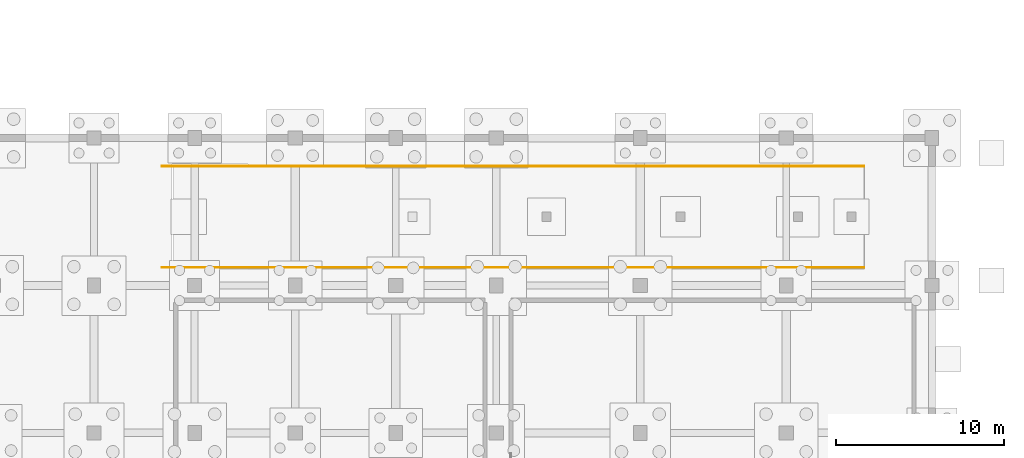
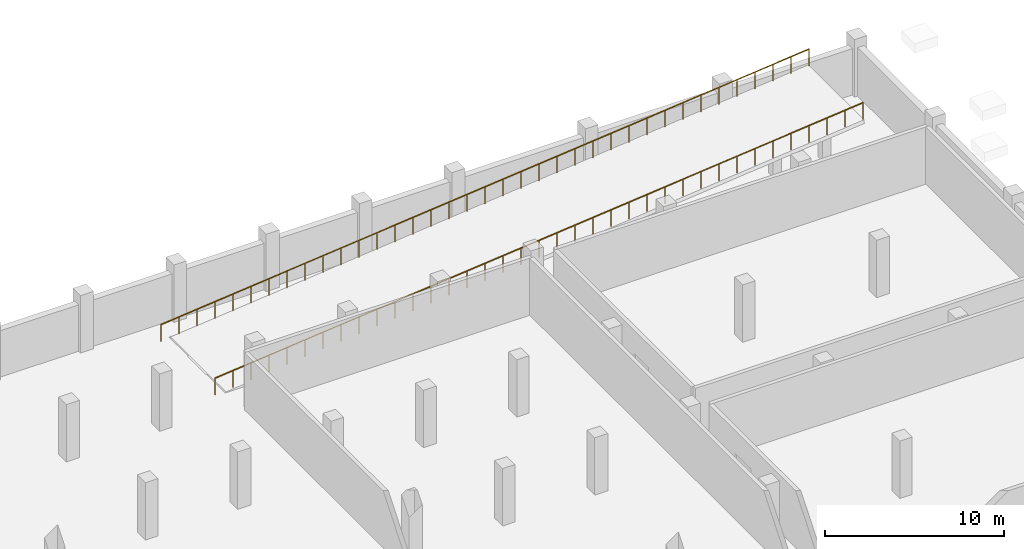
# One storey, part 27 of 28: 2 railings.
"""IFC4 building model written with IfcOpenShell, lengths in metres."""

import ifcopenshell
import ifcopenshell.guid

model = None  # the IFC model being written
_history = None  # IfcOwnerHistory: only IFC2X3 demands one
_inside = {}  # id of a spatial element -> (the spatial element, [elements in it])
_under = {}  # id of a project, library or spatial element -> (it, [spatial elements below it])
_declared = {}  # id of a project -> (the project, [libraries it declares])
_typed = {}  # id of a type object -> (the type object, [elements of that type])
_made_of = {}  # id of a material, layer set ... -> (it, [elements and type objects made of it])


def new_model(schema):
    """Start an empty IFC model of exactly this schema.

    Asked for "IFC4X3", IfcOpenShell would pick the latest addendum, in which some entities
    have other attributes; the version numbers below select the first issue.
    IFC2X3 requires an IfcOwnerHistory on every rooted entity: one is made here for all.
    """
    global model, _history
    if schema == "IFC4X3":
        model = ifcopenshell.file(schema_version=(4, 3, 0, 0))
    else:
        model = ifcopenshell.file(schema=schema)
    _inside.clear()
    _under.clear()
    _declared.clear()
    _typed.clear()
    _made_of.clear()
    _history = None
    if model.schema == "IFC2X3":
        org = make("IfcOrganization", Name="unknown")
        user = make(
            "IfcPersonAndOrganization",
            ThePerson=make("IfcPerson", FamilyName="unknown"),
            TheOrganization=org,
        )
        app = make(
            "IfcApplication",
            ApplicationDeveloper=org,
            Version="unknown",
            ApplicationFullName="unknown",
            ApplicationIdentifier="unknown",
        )
        _history = make(
            "IfcOwnerHistory",
            OwningUser=user,
            OwningApplication=app,
            ChangeAction="ADDED",
            CreationDate=0,
        )
    return model


def make(cls, **values):
    """One entity of the class cls with the attributes given. An attribute that is None is left unset."""
    return model.create_entity(
        cls, **{name: value for name, value in values.items() if value is not None}
    )


def rooted(cls, **values):
    """An entity with a GlobalId (a new one), such as an element, a storey or a relation."""
    return make(cls, GlobalId=ifcopenshell.guid.new(), OwnerHistory=_history, **values)


def si_unit(unit_type, name, prefix=None):
    """IfcSIUnit, for example si_unit("LENGTHUNIT", "METRE", prefix="MILLI")."""
    return make("IfcSIUnit", UnitType=unit_type, Prefix=prefix, Name=name)


def assignment(units):
    """IfcUnitAssignment: the units of a project."""
    return None if units is None else make("IfcUnitAssignment", Units=units)


def point(xyz):
    """IfcCartesianPoint."""
    return None if xyz is None else make("IfcCartesianPoint", Coordinates=xyz)


def direction(xyz):
    """IfcDirection."""
    return None if xyz is None else make("IfcDirection", DirectionRatios=xyz)


def frame(location, z_axis=None, x_axis=None):
    """IfcAxis2Placement3D, a coordinate frame: its origin and axes. An axis left out is left unset."""
    return make(
        "IfcAxis2Placement3D",
        Location=point(location),
        Axis=direction(z_axis),
        RefDirection=direction(x_axis),
    )


def frame_2d(location, x_axis=None):
    """IfcAxis2Placement2D, a coordinate frame in the plane: its origin and x axis."""
    return make(
        "IfcAxis2Placement2D", Location=point(location), RefDirection=direction(x_axis)
    )


def origin():
    """The frame at (0, 0, 0) with its axes left unset."""
    return frame((0.0, 0.0, 0.0))


def origin_2d():
    """The frame at (0, 0) in the plane with its x axis left unset."""
    return frame_2d((0.0, 0.0))


def place(relative_to, where):
    """IfcLocalPlacement: puts the frame where relative to a parent placement (None: the world)."""
    return make(
        "IfcLocalPlacement", PlacementRelTo=relative_to, RelativePlacement=where
    )


def context(
    kind, dimensions, precision=None, world=None, true_north=None, identifier=None
):
    """IfcGeometricRepresentationContext, for example the 3D "Model" context."""
    return make(
        "IfcGeometricRepresentationContext",
        ContextIdentifier=identifier,
        ContextType=kind,
        CoordinateSpaceDimension=dimensions,
        Precision=precision,
        WorldCoordinateSystem=world,
        TrueNorth=true_north,
    )


def subcontext(parent, identifier, kind, view, scale=None):
    """IfcGeometricRepresentationSubContext, for example "Body" below "Model"."""
    return make(
        "IfcGeometricRepresentationSubContext",
        ContextIdentifier=identifier,
        ContextType=kind,
        ParentContext=parent,
        TargetScale=scale,
        TargetView=view,
    )


def project(units=None, contexts=None):
    """IfcProject with its units and contexts."""
    return rooted(
        "IfcProject",
        Name="project",
        RepresentationContexts=contexts,
        UnitsInContext=assignment(units),
    )


def spatial(cls, under=None, at=None, **own):
    """A site, building, storey or space (cls), placed at a placement, below another one or the project."""
    s = rooted(cls, ObjectPlacement=at, **own)
    if under is not None:
        _under.setdefault(under.id(), (under, []))[1].append(s)
    return s


def profile(cls, at=None, kind="AREA", **sizes):
    """A parametric profile (cls). Its sizes go by their IFC names, for example OverallWidth=200.0."""
    return make(cls, ProfileType=kind, Position=at, **sizes)


def circle(**sizes):
    """IfcCircleProfileDef."""
    return profile("IfcCircleProfileDef", **sizes)


def extrude(swept, where, along, depth):
    """IfcExtrudedAreaSolid: the profile swept, set in the frame where, extruded along a direction by depth."""
    return make(
        "IfcExtrudedAreaSolid",
        SweptArea=swept,
        Position=where,
        ExtrudedDirection=direction(along),
        Depth=depth,
    )


def shape(context_of_items, identifier, shape_type, items):
    """IfcShapeRepresentation: the items that make up one representation, for example the "Body"."""
    return make(
        "IfcShapeRepresentation",
        ContextOfItems=context_of_items,
        RepresentationIdentifier=identifier,
        RepresentationType=shape_type,
        Items=items,
    )


def material(Name=None, Category=None):
    """IfcMaterial."""
    return make("IfcMaterial", Name=Name, Category=Category)


def layer(
    of_material, thickness, ventilated=None, Name=None, Category=None, Priority=None
):
    """IfcMaterialLayer: one layer of a wall or slab, of a material (None: an air gap)."""
    return make(
        "IfcMaterialLayer",
        Material=of_material,
        LayerThickness=thickness,
        IsVentilated=ventilated,
        Name=Name,
        Category=Category,
        Priority=Priority,
    )


def layer_set(layers, Name=None):
    """IfcMaterialLayerSet."""
    return make("IfcMaterialLayerSet", MaterialLayers=layers, LayerSetName=Name)


def made_of(thing, what):
    """Note that an element or type object is made of a material, layer set ...; save() writes the relation."""
    if what is not None:
        _made_of.setdefault(what.id(), (what, []))[1].append(thing)
    return thing


def type_object(cls, material=None, **own):
    """A type object (cls), such as IfcWallType, which elements share."""
    return made_of(rooted(cls, **own), material)


def element(
    cls,
    number,
    at=None,
    inside=None,
    cuts=None,
    type_object=None,
    material=None,
    context=None,
    identifier="Body",
    shape_type=None,
    held_by="IfcProductDefinitionShape",
    body=None,
    shapes=None,
    **own,
):
    """One element of the class cls, such as IfcWall. Its Tag is "e" and its number.

    at: its placement. inside: the storey or other place that contains it. cuts: it is an
    opening in that element (IfcRelVoidsElement). A single representation is given by context,
    identifier, shape_type and body (its items); several are given by shapes. held_by: the class
    of the entity that holds the representations. save() writes the other relations.
    """
    e = rooted(cls, Tag="e%d" % number, ObjectPlacement=at, **own)
    if body is not None:
        shapes = [shape(context, identifier, shape_type, body)]
    if shapes is not None:
        e.Representation = make(held_by, Representations=shapes)
    if inside is not None:
        _inside.setdefault(inside.id(), (inside, []))[1].append(e)
    if cuts is not None:
        rooted(
            "IfcRelVoidsElement", RelatingBuildingElement=cuts, RelatedOpeningElement=e
        )
    if type_object is not None:
        _typed.setdefault(type_object.id(), (type_object, []))[1].append(e)
    return made_of(e, material)


def aggregate(whole, parts):
    """IfcRelAggregates: a whole, such as a stair, and the parts it consists of."""
    return rooted("IfcRelAggregates", RelatingObject=whole, RelatedObjects=parts)


def save(model, path):
    """Write the relations noted so far, then the file.

    IfcRelAggregates (storeys below a building ...), IfcRelContainedInSpatialStructure (elements
    in a storey), IfcRelDefinesByType, IfcRelAssociatesMaterial and IfcRelDeclares: one each for
    every whole, place, type object, material and project.
    """
    for whole, parts in _under.values():
        aggregate(whole, parts)
    for where, things in _inside.values():
        rooted(
            "IfcRelContainedInSpatialStructure",
            RelatedElements=things,
            RelatingStructure=where,
        )
    for kind, things in _typed.values():
        rooted("IfcRelDefinesByType", RelatedObjects=things, RelatingType=kind)
    for what, things in _made_of.values():
        rooted("IfcRelAssociatesMaterial", RelatedObjects=things, RelatingMaterial=what)
    for by, libraries in _declared.values():
        rooted("IfcRelDeclares", RelatingContext=by, RelatedDefinitions=libraries)
    model.write(path)


model = new_model("IFC4")

# Units and contexts
model_context = context("Model", 3, precision=1e-05, world=origin(), true_north=direction((0.0, 1.0)))
body_context = subcontext(model_context, "Body", "Model", "MODEL_VIEW")
ifc_project = project(units=[si_unit("LENGTHUNIT", "METRE"), si_unit("AREAUNIT", "SQUARE_METRE"), si_unit("VOLUMEUNIT", "CUBIC_METRE"), si_unit("PLANEANGLEUNIT", "RADIAN"), si_unit("MASSUNIT", "GRAM", prefix="KILO")], contexts=[model_context])

# Site, building, storey
site_placement = place(None, origin())
site = spatial("IfcSite", under=ifc_project, at=site_placement, CompositionType="ELEMENT")
building_placement = place(site_placement, origin())
building = spatial("IfcBuilding", under=site, at=building_placement, Name="Varnakota Cinema and Media Centre", CompositionType="ELEMENT")
storey_placement = place(building_placement, frame((0.0, 0.0, -4.199951171875)))
storey = spatial("IfcBuildingStorey", under=building, at=storey_placement, Name="B1", CompositionType="ELEMENT", Elevation=-4.199951171875)

# Railings
ifc_material = material(Name="Anodised golden-bronze steel Grade 350 (E350)", Category="steel")
ifc_layer = layer(ifc_material, 0.050048828125)
ifc_layer_set = layer_set([ifc_layer], Name="Anodised golden-bronze steel Grade 350 (E350)")
railing_type = type_object("IfcRailingType", Name="RAIL-GUARD-1150", PredefinedType="BALUSTRADE", material=ifc_layer_set)
railing_1_placement = place(storey_placement, frame((115.050048828125, 36.280029296875, 0.02001953125)))
element("IfcRailing", 1, at=railing_1_placement, inside=storey, type_object=railing_type, Name="B1 vehicular ramp edge guard S", PredefinedType="BALUSTRADE", context=body_context, shape_type="SweptSolid", body=[
    extrude(circle(Radius=0.02392578125, at=origin_2d()), frame((0.0, 0.0, 1.1259765625), z_axis=(0.995107666043, 0.0, 0.098796421914), x_axis=(0.0, 1.0, 0.0)), (0.0, 0.0, 1.0), 42.10595703125),
    extrude(circle(Radius=0.02099609375, at=origin_2d()), origin(), (0.0, 0.0, 1.0), 1.101806640625),
    extrude(circle(Radius=0.02099609375, at=origin_2d()), frame((1.163818359375, 0.0, 0.115478515625)), (0.0, 0.0, 1.0), 1.101806640625),
    extrude(circle(Radius=0.02099609375, at=origin_2d()), frame((2.327880859375, 0.0, 0.231201171875)), (0.0, 0.0, 1.0), 1.101806640625),
    extrude(circle(Radius=0.02099609375, at=origin_2d()), frame((3.49169921875, 0.0, 0.3466796875)), (0.0, 0.0, 1.0), 1.101806640625),
    extrude(circle(Radius=0.02099609375, at=origin_2d()), frame((4.655517578125, 0.0, 0.462158203125)), (0.0, 0.0, 1.0), 1.101806640625),
    extrude(circle(Radius=0.02099609375, at=origin_2d()), frame((5.8193359375, 0.0, 0.577880859375)), (0.0, 0.0, 1.0), 1.101806640625),
    extrude(circle(Radius=0.02099609375, at=origin_2d()), frame((6.9833984375, 0.0, 0.693359375)), (0.0, 0.0, 1.0), 1.101806640625),
    extrude(circle(Radius=0.02099609375, at=origin_2d()), frame((8.147216796875, 0.0, 0.808837890625)), (0.0, 0.0, 1.0), 1.101806640625),
    extrude(circle(Radius=0.02099609375, at=origin_2d()), frame((9.31103515625, 0.0, 0.92431640625)), (0.0, 0.0, 1.0), 1.101806640625),
    extrude(circle(Radius=0.02099609375, at=origin_2d()), frame((10.47509765625, 0.0, 1.0400390625)), (0.0, 0.0, 1.0), 1.101806640625),
    extrude(circle(Radius=0.02099609375, at=origin_2d()), frame((11.638916015625, 0.0, 1.155517578125)), (0.0, 0.0, 1.0), 1.101806640625),
    extrude(circle(Radius=0.02099609375, at=origin_2d()), frame((12.802734375, 0.0, 1.27099609375)), (0.0, 0.0, 1.0), 1.101806640625),
    extrude(circle(Radius=0.02099609375, at=origin_2d()), frame((13.966552734375, 0.0, 1.38671875)), (0.0, 0.0, 1.0), 1.101806640625),
    extrude(circle(Radius=0.02099609375, at=origin_2d()), frame((15.130615234375, 0.0, 1.502197265625)), (0.0, 0.0, 1.0), 1.101806640625),
    extrude(circle(Radius=0.02099609375, at=origin_2d()), frame((16.29443359375, 0.0, 1.61767578125)), (0.0, 0.0, 1.0), 1.101806640625),
    extrude(circle(Radius=0.02099609375, at=origin_2d()), frame((17.458251953125, 0.0, 1.7333984375)), (0.0, 0.0, 1.0), 1.101806640625),
    extrude(circle(Radius=0.02099609375, at=origin_2d()), frame((18.6220703125, 0.0, 1.848876953125)), (0.0, 0.0, 1.0), 1.101806640625),
    extrude(circle(Radius=0.02099609375, at=origin_2d()), frame((19.7861328125, 0.0, 1.96435546875)), (0.0, 0.0, 1.0), 1.101806640625),
    extrude(circle(Radius=0.02099609375, at=origin_2d()), frame((20.949951171875, 0.0, 2.080078125)), (0.0, 0.0, 1.0), 1.101806640625),
    extrude(circle(Radius=0.02099609375, at=origin_2d()), frame((22.11376953125, 0.0, 2.195556640625)), (0.0, 0.0, 1.0), 1.101806640625),
    extrude(circle(Radius=0.02099609375, at=origin_2d()), frame((23.27783203125, 0.0, 2.31103515625)), (0.0, 0.0, 1.0), 1.101806640625),
    extrude(circle(Radius=0.02099609375, at=origin_2d()), frame((24.441650390625, 0.0, 2.426513671875)), (0.0, 0.0, 1.0), 1.101806640625),
    extrude(circle(Radius=0.02099609375, at=origin_2d()), frame((25.60546875, 0.0, 2.542236328125)), (0.0, 0.0, 1.0), 1.101806640625),
    extrude(circle(Radius=0.02099609375, at=origin_2d()), frame((26.769287109375, 0.0, 2.65771484375)), (0.0, 0.0, 1.0), 1.101806640625),
    extrude(circle(Radius=0.02099609375, at=origin_2d()), frame((27.933349609375, 0.0, 2.773193359375)), (0.0, 0.0, 1.0), 1.101806640625),
    extrude(circle(Radius=0.02099609375, at=origin_2d()), frame((29.09716796875, 0.0, 2.888916015625)), (0.0, 0.0, 1.0), 1.101806640625),
    extrude(circle(Radius=0.02099609375, at=origin_2d()), frame((30.260986328125, 0.0, 3.00439453125)), (0.0, 0.0, 1.0), 1.101806640625),
    extrude(circle(Radius=0.02099609375, at=origin_2d()), frame((31.4248046875, 0.0, 3.119873046875)), (0.0, 0.0, 1.0), 1.101806640625),
    extrude(circle(Radius=0.02099609375, at=origin_2d()), frame((32.5888671875, 0.0, 3.235595703125)), (0.0, 0.0, 1.0), 1.101806640625),
    extrude(circle(Radius=0.02099609375, at=origin_2d()), frame((33.752685546875, 0.0, 3.35107421875)), (0.0, 0.0, 1.0), 1.101806640625),
    extrude(circle(Radius=0.02099609375, at=origin_2d()), frame((34.91650390625, 0.0, 3.466552734375)), (0.0, 0.0, 1.0), 1.101806640625),
    extrude(circle(Radius=0.02099609375, at=origin_2d()), frame((36.08056640625, 0.0, 3.58203125)), (0.0, 0.0, 1.0), 1.101806640625),
    extrude(circle(Radius=0.02099609375, at=origin_2d()), frame((37.244384765625, 0.0, 3.69775390625)), (0.0, 0.0, 1.0), 1.101806640625),
    extrude(circle(Radius=0.02099609375, at=origin_2d()), frame((38.408203125, 0.0, 3.813232421875)), (0.0, 0.0, 1.0), 1.101806640625),
    extrude(circle(Radius=0.02099609375, at=origin_2d()), frame((39.572021484375, 0.0, 3.9287109375)), (0.0, 0.0, 1.0), 1.101806640625),
    extrude(circle(Radius=0.02099609375, at=origin_2d()), frame((40.736083984375, 0.0, 4.04443359375)), (0.0, 0.0, 1.0), 1.101806640625),
    extrude(circle(Radius=0.02099609375, at=origin_2d()), frame((41.89990234375, 0.0, 4.159912109375)), (0.0, 0.0, 1.0), 1.101806640625),
])
railing_2_placement = place(storey_placement, frame((115.050048828125, 42.320068359375, 0.02001953125)))
element("IfcRailing", 2, at=railing_2_placement, inside=storey, type_object=railing_type, Name="B1 vehicular ramp edge guard N", PredefinedType="BALUSTRADE", context=body_context, shape_type="SweptSolid", body=[
    extrude(circle(Radius=0.02392578125, at=origin_2d()), frame((0.0, 0.0, 1.1259765625), z_axis=(0.995107666043, 0.0, 0.098796421914), x_axis=(0.0, 1.0, 0.0)), (0.0, 0.0, 1.0), 42.10595703125),
    extrude(circle(Radius=0.02099609375, at=origin_2d()), origin(), (0.0, 0.0, 1.0), 1.101806640625),
    extrude(circle(Radius=0.02099609375, at=origin_2d()), frame((1.163818359375, 0.0, 0.115478515625)), (0.0, 0.0, 1.0), 1.101806640625),
    extrude(circle(Radius=0.02099609375, at=origin_2d()), frame((2.327880859375, 0.0, 0.231201171875)), (0.0, 0.0, 1.0), 1.101806640625),
    extrude(circle(Radius=0.02099609375, at=origin_2d()), frame((3.49169921875, 0.0, 0.3466796875)), (0.0, 0.0, 1.0), 1.101806640625),
    extrude(circle(Radius=0.02099609375, at=origin_2d()), frame((4.655517578125, 0.0, 0.462158203125)), (0.0, 0.0, 1.0), 1.101806640625),
    extrude(circle(Radius=0.02099609375, at=origin_2d()), frame((5.8193359375, 0.0, 0.577880859375)), (0.0, 0.0, 1.0), 1.101806640625),
    extrude(circle(Radius=0.02099609375, at=origin_2d()), frame((6.9833984375, 0.0, 0.693359375)), (0.0, 0.0, 1.0), 1.101806640625),
    extrude(circle(Radius=0.02099609375, at=origin_2d()), frame((8.147216796875, 0.0, 0.808837890625)), (0.0, 0.0, 1.0), 1.101806640625),
    extrude(circle(Radius=0.02099609375, at=origin_2d()), frame((9.31103515625, 0.0, 0.92431640625)), (0.0, 0.0, 1.0), 1.101806640625),
    extrude(circle(Radius=0.02099609375, at=origin_2d()), frame((10.47509765625, 0.0, 1.0400390625)), (0.0, 0.0, 1.0), 1.101806640625),
    extrude(circle(Radius=0.02099609375, at=origin_2d()), frame((11.638916015625, 0.0, 1.155517578125)), (0.0, 0.0, 1.0), 1.101806640625),
    extrude(circle(Radius=0.02099609375, at=origin_2d()), frame((12.802734375, 0.0, 1.27099609375)), (0.0, 0.0, 1.0), 1.101806640625),
    extrude(circle(Radius=0.02099609375, at=origin_2d()), frame((13.966552734375, 0.0, 1.38671875)), (0.0, 0.0, 1.0), 1.101806640625),
    extrude(circle(Radius=0.02099609375, at=origin_2d()), frame((15.130615234375, 0.0, 1.502197265625)), (0.0, 0.0, 1.0), 1.101806640625),
    extrude(circle(Radius=0.02099609375, at=origin_2d()), frame((16.29443359375, 0.0, 1.61767578125)), (0.0, 0.0, 1.0), 1.101806640625),
    extrude(circle(Radius=0.02099609375, at=origin_2d()), frame((17.458251953125, 0.0, 1.7333984375)), (0.0, 0.0, 1.0), 1.101806640625),
    extrude(circle(Radius=0.02099609375, at=origin_2d()), frame((18.6220703125, 0.0, 1.848876953125)), (0.0, 0.0, 1.0), 1.101806640625),
    extrude(circle(Radius=0.02099609375, at=origin_2d()), frame((19.7861328125, 0.0, 1.96435546875)), (0.0, 0.0, 1.0), 1.101806640625),
    extrude(circle(Radius=0.02099609375, at=origin_2d()), frame((20.949951171875, 0.0, 2.080078125)), (0.0, 0.0, 1.0), 1.101806640625),
    extrude(circle(Radius=0.02099609375, at=origin_2d()), frame((22.11376953125, 0.0, 2.195556640625)), (0.0, 0.0, 1.0), 1.101806640625),
    extrude(circle(Radius=0.02099609375, at=origin_2d()), frame((23.27783203125, 0.0, 2.31103515625)), (0.0, 0.0, 1.0), 1.101806640625),
    extrude(circle(Radius=0.02099609375, at=origin_2d()), frame((24.441650390625, 0.0, 2.426513671875)), (0.0, 0.0, 1.0), 1.101806640625),
    extrude(circle(Radius=0.02099609375, at=origin_2d()), frame((25.60546875, 0.0, 2.542236328125)), (0.0, 0.0, 1.0), 1.101806640625),
    extrude(circle(Radius=0.02099609375, at=origin_2d()), frame((26.769287109375, 0.0, 2.65771484375)), (0.0, 0.0, 1.0), 1.101806640625),
    extrude(circle(Radius=0.02099609375, at=origin_2d()), frame((27.933349609375, 0.0, 2.773193359375)), (0.0, 0.0, 1.0), 1.101806640625),
    extrude(circle(Radius=0.02099609375, at=origin_2d()), frame((29.09716796875, 0.0, 2.888916015625)), (0.0, 0.0, 1.0), 1.101806640625),
    extrude(circle(Radius=0.02099609375, at=origin_2d()), frame((30.260986328125, 0.0, 3.00439453125)), (0.0, 0.0, 1.0), 1.101806640625),
    extrude(circle(Radius=0.02099609375, at=origin_2d()), frame((31.4248046875, 0.0, 3.119873046875)), (0.0, 0.0, 1.0), 1.101806640625),
    extrude(circle(Radius=0.02099609375, at=origin_2d()), frame((32.5888671875, 0.0, 3.235595703125)), (0.0, 0.0, 1.0), 1.101806640625),
    extrude(circle(Radius=0.02099609375, at=origin_2d()), frame((33.752685546875, 0.0, 3.35107421875)), (0.0, 0.0, 1.0), 1.101806640625),
    extrude(circle(Radius=0.02099609375, at=origin_2d()), frame((34.91650390625, 0.0, 3.466552734375)), (0.0, 0.0, 1.0), 1.101806640625),
    extrude(circle(Radius=0.02099609375, at=origin_2d()), frame((36.08056640625, 0.0, 3.58203125)), (0.0, 0.0, 1.0), 1.101806640625),
    extrude(circle(Radius=0.02099609375, at=origin_2d()), frame((37.244384765625, 0.0, 3.69775390625)), (0.0, 0.0, 1.0), 1.101806640625),
    extrude(circle(Radius=0.02099609375, at=origin_2d()), frame((38.408203125, 0.0, 3.813232421875)), (0.0, 0.0, 1.0), 1.101806640625),
    extrude(circle(Radius=0.02099609375, at=origin_2d()), frame((39.572021484375, 0.0, 3.9287109375)), (0.0, 0.0, 1.0), 1.101806640625),
    extrude(circle(Radius=0.02099609375, at=origin_2d()), frame((40.736083984375, 0.0, 4.04443359375)), (0.0, 0.0, 1.0), 1.101806640625),
    extrude(circle(Radius=0.02099609375, at=origin_2d()), frame((41.89990234375, 0.0, 4.159912109375)), (0.0, 0.0, 1.0), 1.101806640625),
])

save(model, "model.ifc")
